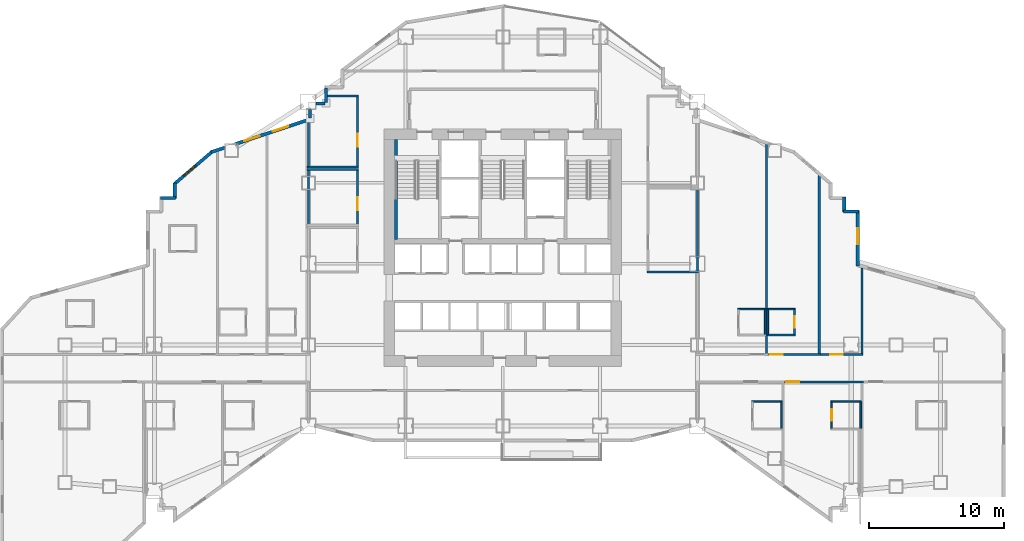
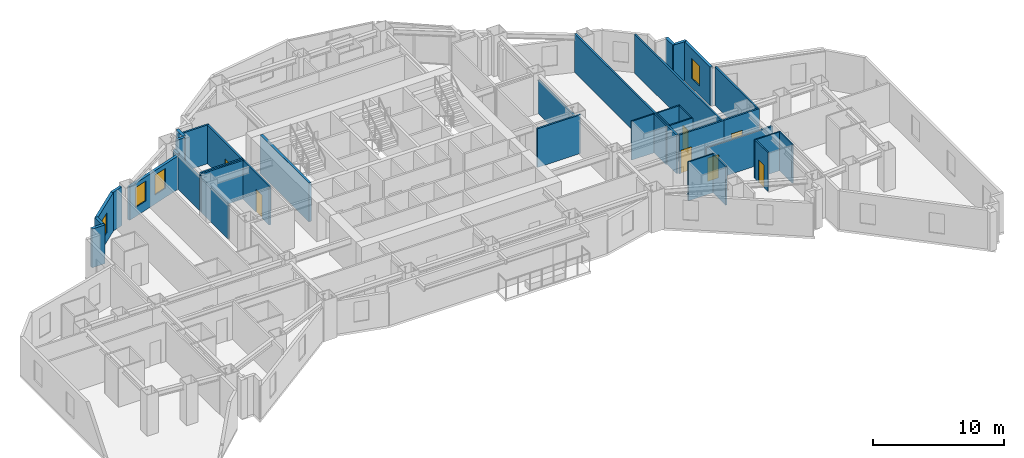
# One storey, part 10 of 15: 38 walls, 7 doors, 4 windows, 11 openings.
"""IFC4 building model written with IfcOpenShell, lengths in metres."""

from ifc_helpers import new_model, si_unit, direction, frame, frame_2d, origin, place, context, subcontext, project, spatial, rectangle, extrude, material, layer, layer_set, type_object, element, fill, save


model = new_model("IFC4")

# Units and contexts
model_context = context("Model", 3, precision=1e-05, world=origin(), true_north=direction((0.0, 1.0)))
body_context = subcontext(model_context, "Body", "Model", "MODEL_VIEW")
ifc_project = project(units=[si_unit("LENGTHUNIT", "METRE"), si_unit("AREAUNIT", "SQUARE_METRE"), si_unit("VOLUMEUNIT", "CUBIC_METRE"), si_unit("PLANEANGLEUNIT", "RADIAN"), si_unit("MASSUNIT", "GRAM", prefix="KILO")], contexts=[model_context])

# Site, building, storey
site_placement = place(None, origin())
site = spatial("IfcSite", under=ifc_project, at=site_placement, CompositionType="ELEMENT")
building_placement = place(site_placement, origin())
building = spatial("IfcBuilding", under=site, at=building_placement, Name="Haolan Belvedere Tower", CompositionType="ELEMENT")
storey_placement = place(building_placement, frame((0.0, 0.0, 70.39990234375)))
storey = spatial("IfcBuildingStorey", under=building, at=storey_placement, Name="L17", CompositionType="ELEMENT", Elevation=70.39990234375)

# Wall, opening, window
ifc_material_1 = material(Name="Precast concrete C40/50", Category="concrete")
ifc_layer_1 = layer(ifc_material_1, 0.239990234375, Name="Precast concrete C40/50")
ifc_layer_set_1 = layer_set([ifc_layer_1], Name="Precast concrete C40/50")
wall_type_1 = type_object("IfcWallType", Name="WL-EXT-240", PredefinedType="SOLIDWALL", material=ifc_layer_set_1)
wall_1_placement = place(storey_placement, frame((64.679931640625, 33.453857421875, 0.0), z_axis=(0.0, 0.0, 1.0), x_axis=(0.0, 1.0, 0.0)))
wall_1 = element("IfcWall", 1, at=wall_1_placement, inside=storey, type_object=wall_type_1, Name="L17 pale-metal exterior spandrel wall 29.1", PredefinedType="SOLIDWALL", context=body_context, shape_type="SweptSolid", body=[
    extrude(rectangle(XDim=4.0810546875, YDim=0.239990234375, at=frame_2d((2.04052734375, 0.0))), origin(), (0.0, 0.0, 1.0), 3.60009765625),
])
opening_1_placement = place(wall_1_placement, frame((1.60009765625, 0.0, 0.85009765625)))
opening_1 = element("IfcOpeningElement", 2, at=opening_1_placement, cuts=wall_1, Name="Opening W-01", PredefinedType="OPENING", context=body_context, shape_type="SweptSolid", body=[
    extrude(rectangle(XDim=1.199951171875, YDim=1.85009765625, at=frame_2d((0.60009765625, 0.925048828125))), frame((0.0, 0.1298828125, 0.0), z_axis=(0.0, -1.0, 0.0), x_axis=(1.0, 0.0, 0.0)), (0.0, 0.0, 1.0), 0.260009765625),
])
ifc_material_2 = material(Name="Anodised aluminium 6063-T6 and Low-E glass", Category="aluminium")
window_type = type_object("IfcWindowType", Name="WN-DECO-Z1", PartitioningType="SINGLE_PANEL", PredefinedType="WINDOW", material=ifc_material_2)
window_1_placement = place(opening_1_placement, origin())
window_1 = element("IfcWindow", 3, at=window_1_placement, inside=storey, type_object=window_type, Name="L17 Art Deco chevron window 1", OverallHeight=1.85009765625, OverallWidth=1.199951171875, PartitioningType="SINGLE_PANEL", PredefinedType="WINDOW", context=body_context, shape_type="SweptSolid", body=[
    extrude(rectangle(XDim=1.199951171875, YDim=1.85009765625, at=frame_2d((0.60009765625, 0.925048828125))), frame((0.0, 0.030029296875, 0.0), z_axis=(0.0, -1.0, 0.0), x_axis=(1.0, 0.0, 0.0)), (0.0, 0.0, 1.0), 0.06005859375),
])
fill(opening_1, window_1)

# Walls
wall_2_placement = place(storey_placement, frame((64.735107421875, 37.47998046875, 0.0), z_axis=(0.0, 0.0, 1.0), x_axis=(-1.0, 0.0, 0.0)))
element("IfcWall", 4, at=wall_2_placement, inside=storey, type_object=wall_type_1, Name="L17 pale-metal exterior spandrel wall 30.1", PredefinedType="SOLIDWALL", context=body_context, shape_type="SweptSolid", body=[
    extrude(rectangle(XDim=1.110107421875, YDim=0.239990234375, at=frame_2d((0.55517578125, 0.0))), origin(), (0.0, 0.0, 1.0), 3.60009765625),
])
wall_3_placement = place(storey_placement, frame((63.679931640625, 37.425048828125, 0.0), z_axis=(0.0, 0.0, 1.0), x_axis=(0.0, 1.0, 0.0)))
element("IfcWall", 5, at=wall_3_placement, inside=storey, type_object=wall_type_1, Name="L17 pale-metal exterior spandrel wall 31.1", PredefinedType="SOLIDWALL", context=body_context, shape_type="SweptSolid", body=[
    extrude(rectangle(XDim=1.10986328125, YDim=0.239990234375, at=frame_2d((0.554931640625, 0.0))), origin(), (0.0, 0.0, 1.0), 3.60009765625),
])
wall_4_placement = place(storey_placement, frame((25.320068359375, 46.614990234375, 0.0), z_axis=(0.0, 0.0, 1.0), x_axis=(0.0, -1.0, 0.0)))
element("IfcWall", 6, at=wall_4_placement, inside=storey, type_object=wall_type_1, Name="L17 pale-metal exterior spandrel wall 47.1", PredefinedType="SOLIDWALL", context=body_context, shape_type="SweptSolid", body=[
    extrude(rectangle(XDim=1.050048828125, YDim=0.239990234375, at=frame_2d((0.52490234375, 0.0))), origin(), (0.0, 0.0, 1.0), 3.60009765625),
])
wall_5_placement = place(storey_placement, frame((25.235107421875, 45.47998046875, 0.0), z_axis=(0.0, 0.0, 1.0), x_axis=(-1.0, 0.0, 0.0)))
element("IfcWall", 7, at=wall_5_placement, inside=storey, type_object=wall_type_1, Name="L17 pale-metal exterior spandrel wall 48.1", PredefinedType="SOLIDWALL", context=body_context, shape_type="SweptSolid", body=[
    extrude(rectangle(XDim=0.668212890625, YDim=0.239990234375, at=frame_2d((0.333984375, 0.0))), origin(), (0.0, 0.0, 1.0), 3.60009765625),
])
wall_6_placement = place(storey_placement, frame((24.1201171875, 45.032958984375, 0.0), z_axis=(0.0, 0.0, 1.0), x_axis=(0.0, -1.0, 0.0)))
element("IfcWall", 8, at=wall_6_placement, inside=storey, type_object=wall_type_1, Name="L17 pale-metal exterior spandrel wall 49.1", PredefinedType="SOLIDWALL", context=body_context, shape_type="SweptSolid", body=[
    extrude(rectangle(XDim=0.634521484375, YDim=0.239990234375, at=frame_2d((0.3173828125, 0.0))), origin(), (0.0, 0.0, 1.0), 3.09716796875),
])

# Wall, openings, windows
wall_7_placement = place(storey_placement, frame((24.039306640625, 44.28662109375, 0.0), z_axis=(0.0, 0.0, 1.0), x_axis=(-0.948678995954, -0.316240672014, 0.0)))
wall_7 = element("IfcWall", 9, at=wall_7_placement, inside=storey, type_object=wall_type_1, Name="L17 pale-metal exterior spandrel wall 50.1", PredefinedType="SOLIDWALL", context=body_context, shape_type="SweptSolid", body=[
    extrude(rectangle(XDim=5.675048828125, YDim=0.239990234375, at=frame_2d((2.83740234375, 0.0))), origin(), (0.0, 0.0, 1.0), 3.09716796875),
])
opening_2_placement = place(wall_7_placement, frame((1.60009765625, 0.0, 0.85009765625)))
opening_2 = element("IfcOpeningElement", 10, at=opening_2_placement, cuts=wall_7, Name="Opening W-01", PredefinedType="OPENING", context=body_context, shape_type="SweptSolid", body=[
    extrude(rectangle(XDim=1.199951171875, YDim=1.85009765625, at=frame_2d((0.60009765625, 0.925048828125))), frame((0.0, 0.1298828125, 0.0), z_axis=(0.0, -1.0, 0.0), x_axis=(1.0, 0.0, 0.0)), (0.0, 0.0, 1.0), 0.260009765625),
])
opening_3_placement = place(wall_7_placement, frame((3.833984375, 0.0, 0.85009765625)))
opening_3 = element("IfcOpeningElement", 11, at=opening_3_placement, cuts=wall_7, Name="Opening W-01", PredefinedType="OPENING", context=body_context, shape_type="SweptSolid", body=[
    extrude(rectangle(XDim=1.199951171875, YDim=1.85009765625, at=frame_2d((0.60009765625, 0.925048828125))), frame((0.0, 0.1298828125, 0.0), z_axis=(0.0, -1.0, 0.0), x_axis=(1.0, 0.0, 0.0)), (0.0, 0.0, 1.0), 0.260009765625),
])
window_2_placement = place(opening_2_placement, origin())
window_2 = element("IfcWindow", 12, at=window_2_placement, inside=storey, type_object=window_type, Name="L17 Art Deco chevron window 1", OverallHeight=1.85009765625, OverallWidth=1.199951171875, PartitioningType="SINGLE_PANEL", PredefinedType="WINDOW", context=body_context, shape_type="SweptSolid", body=[
    extrude(rectangle(XDim=1.199951171875, YDim=1.85009765625, at=frame_2d((0.60009765625, 0.925048828125))), frame((0.0, 0.030029296875, 0.0), z_axis=(0.0, -1.0, 0.0), x_axis=(1.0, 0.0, 0.0)), (0.0, 0.0, 1.0), 0.06005859375),
])
fill(opening_2, window_2)
window_3_placement = place(opening_3_placement, origin())
window_3 = element("IfcWindow", 13, at=window_3_placement, inside=storey, type_object=window_type, Name="L17 Art Deco guestroom window 1", OverallHeight=1.85009765625, OverallWidth=1.199951171875, PartitioningType="SINGLE_PANEL", PredefinedType="WINDOW", context=body_context, shape_type="SweptSolid", body=[
    extrude(rectangle(XDim=1.199951171875, YDim=1.85009765625, at=frame_2d((0.60009765625, 0.925048828125))), frame((0.0, 0.030029296875, 0.0), z_axis=(0.0, -1.0, 0.0), x_axis=(1.0, 0.0, 0.0)), (0.0, 0.0, 1.0), 0.06005859375),
])
fill(opening_3, window_3)

# Wall
wall_8_placement = place(storey_placement, frame((17.80810546875, 42.20947265625, 0.0), z_axis=(0.0, 0.0, 1.0), x_axis=(-0.948706457285, -0.316158279832, 0.0)))
element("IfcWall", 14, at=wall_8_placement, inside=storey, type_object=wall_type_1, Name="L17 pale-metal exterior spandrel wall 50.2", PredefinedType="SOLIDWALL", context=body_context, shape_type="SweptSolid", body=[
    extrude(rectangle(XDim=1.053955078125, YDim=0.239990234375, at=frame_2d((0.52685546875, 0.0))), origin(), (0.0, 0.0, 1.0), 3.60009765625),
])

# Wall, opening, window
wall_9_placement = place(storey_placement, frame((16.902099609375, 41.929443359375, 0.0), z_axis=(0.0, 0.0, 1.0), x_axis=(-0.759275136126, -0.650769750112, 0.0)))
wall_9 = element("IfcWall", 15, at=wall_9_placement, inside=storey, type_object=wall_type_1, Name="L17 pale-metal exterior spandrel wall 51.1", PredefinedType="SOLIDWALL", context=body_context, shape_type="SweptSolid", body=[
    extrude(rectangle(XDim=3.71923828125, YDim=0.239990234375, at=frame_2d((1.859619140625, 0.0))), origin(), (0.0, 0.0, 1.0), 3.60009765625),
])
opening_4_placement = place(wall_9_placement, frame((1.60009765625, 0.0, 0.85009765625)))
opening_4 = element("IfcOpeningElement", 16, at=opening_4_placement, cuts=wall_9, Name="Opening W-01", PredefinedType="OPENING", context=body_context, shape_type="SweptSolid", body=[
    extrude(rectangle(XDim=1.199951171875, YDim=1.85009765625, at=frame_2d((0.60009765625, 0.925048828125))), frame((0.0, 0.1298828125, 0.0), z_axis=(0.0, -1.0, 0.0), x_axis=(1.0, 0.0, 0.0)), (0.0, 0.0, 1.0), 0.260009765625),
])
window_4_placement = place(opening_4_placement, origin())
window_4 = element("IfcWindow", 17, at=window_4_placement, inside=storey, type_object=window_type, Name="L17 Art Deco chevron window 1", OverallHeight=1.85009765625, OverallWidth=1.199951171875, PartitioningType="SINGLE_PANEL", PredefinedType="WINDOW", context=body_context, shape_type="SweptSolid", body=[
    extrude(rectangle(XDim=1.199951171875, YDim=1.85009765625, at=frame_2d((0.60009765625, 0.925048828125))), frame((0.0, 0.030029296875, 0.0), z_axis=(0.0, -1.0, 0.0), x_axis=(1.0, 0.0, 0.0)), (0.0, 0.0, 1.0), 0.06005859375),
])
fill(opening_4, window_4)

# Walls
wall_10_placement = place(storey_placement, frame((14.1201171875, 39.599853515625, 0.0), z_axis=(0.0, 0.0, 1.0), x_axis=(0.0, -1.0, 0.0)))
element("IfcWall", 18, at=wall_10_placement, inside=storey, type_object=wall_type_1, Name="L17 pale-metal exterior spandrel wall 52.1", PredefinedType="SOLIDWALL", context=body_context, shape_type="SweptSolid", body=[
    extrude(rectangle(XDim=1.1748046875, YDim=0.239990234375, at=frame_2d((0.58740234375, 0.0))), origin(), (0.0, 0.0, 1.0), 3.60009765625),
])
wall_11_placement = place(storey_placement, frame((14.175048828125, 38.47998046875, 0.0), z_axis=(0.0, 0.0, 1.0), x_axis=(-1.0, 0.0, 0.0)))
element("IfcWall", 19, at=wall_11_placement, inside=storey, type_object=wall_type_1, Name="L17 pale-metal exterior spandrel wall 53.1", PredefinedType="SOLIDWALL", context=body_context, shape_type="SweptSolid", body=[
    extrude(rectangle(XDim=1.110107421875, YDim=0.239990234375, at=frame_2d((0.55517578125, 0.0))), origin(), (0.0, 0.0, 1.0), 3.60009765625),
])
ifc_material_3 = material(Name="Double gypsum acoustic stud partition", Category="masonry")
ifc_layer_2 = layer(ifc_material_3, 0.14990234375, Name="Double gypsum acoustic stud partition")
ifc_layer_set_2 = layer_set([ifc_layer_2], Name="Double gypsum acoustic stud partition")
wall_type_2 = type_object("IfcWallType", Name="WL-PART-150", PredefinedType="PARTITIONING", material=ifc_layer_set_2)
wall_12_placement = place(storey_placement, frame((23.919921875, 40.60009765625, 0.0), z_axis=(0.0, 0.0, 1.0), x_axis=(1.0, 0.0, 0.0)))
element("IfcWall", 20, at=wall_12_placement, inside=storey, type_object=wall_type_2, Name="L17 interior partition IW-L17-PNT-N", PredefinedType="PARTITIONING", context=body_context, shape_type="SweptSolid", body=[
    extrude(rectangle(XDim=3.800048828125, YDim=0.14990234375, at=frame_2d((1.89990234375, 0.0))), origin(), (0.0, 0.0, 1.0), 3.60009765625),
])
wall_13_placement = place(storey_placement, frame((24.0, 36.52001953125, 0.0), z_axis=(0.0, 0.0, 1.0), x_axis=(0.0, 1.0, 0.0)))
element("IfcWall", 21, at=wall_13_placement, inside=storey, type_object=wall_type_2, Name="L17 interior partition IW-L17-PNT-W", PredefinedType="PARTITIONING", context=body_context, shape_type="SweptSolid", body=[
    extrude(rectangle(XDim=4.02001953125, YDim=0.14990234375, at=frame_2d((2.010009765625, 0.0))), origin(), (0.0, 0.0, 1.0), 3.09716796875),
])

# Wall, opening, door
wall_14_placement = place(storey_placement, frame((27.639892578125, 36.52001953125, 0.0), z_axis=(0.0, 0.0, 1.0), x_axis=(0.0, 1.0, 0.0)))
wall_14 = element("IfcWall", 22, at=wall_14_placement, inside=storey, type_object=wall_type_2, Name="L17 interior partition IW-L17-PNT-E", PredefinedType="PARTITIONING", context=body_context, shape_type="SweptSolid", body=[
    extrude(rectangle(XDim=4.02001953125, YDim=0.14990234375, at=frame_2d((2.010009765625, 0.0))), origin(), (0.0, 0.0, 1.0), 3.60009765625),
])
opening_5_placement = place(wall_14_placement, frame((2.010009765625, 0.0, 0.0), z_axis=(0.0, 0.0, 1.0), x_axis=(-1.0, 0.0, 0.0)))
opening_5 = element("IfcOpeningElement", 23, at=opening_5_placement, cuts=wall_14, Name="Opening ID-03", PredefinedType="OPENING", context=body_context, shape_type="SweptSolid", body=[
    extrude(rectangle(XDim=0.949951171875, YDim=2.1201171875, at=frame_2d((0.47509765625, 1.06005859375))), frame((0.0, 0.0849609375, 0.0), z_axis=(0.0, -1.0, 0.0), x_axis=(1.0, 0.0, 0.0)), (0.0, 0.0, 1.0), 0.169921875),
])
ifc_material_4 = material(Name="Painted solid-core timber", Category="wood")
door_type_1 = type_object("IfcDoorType", Name="DR-INT-950", OperationType="NOTDEFINED", PredefinedType="DOOR", material=ifc_material_4)
door_1_placement = place(opening_5_placement, origin())
door_1 = element("IfcDoor", 24, at=door_1_placement, inside=storey, type_object=door_type_1, Name="L17 door ID-L17-PNT", OperationType="SINGLE_SWING_RIGHT", OverallHeight=2.1201171875, OverallWidth=0.949951171875, PredefinedType="DOOR", context=body_context, shape_type="SweptSolid", body=[
    extrude(rectangle(XDim=0.949951171875, YDim=2.1201171875, at=frame_2d((0.47509765625, 1.06005859375))), frame((0.0, 0.02490234375, 0.0), z_axis=(0.0, -1.0, 0.0), x_axis=(1.0, 0.0, 0.0)), (0.0, 0.0, 1.0), 0.050048828125),
])
fill(opening_5, door_1)

# Walls
wall_15_placement = place(storey_placement, frame((25.425048828125, 46.02001953125, 0.0), z_axis=(0.0, 0.0, 1.0), x_axis=(1.0, 0.0, 0.0)))
element("IfcWall", 25, at=wall_15_placement, inside=storey, type_object=wall_type_2, Name="L17 interior partition IW-L17-STY-N", PredefinedType="PARTITIONING", context=body_context, shape_type="SweptSolid", body=[
    extrude(rectangle(XDim=2.294921875, YDim=0.14990234375, at=frame_2d((1.1474609375, 0.0))), origin(), (0.0, 0.0, 1.0), 3.60009765625),
])
wall_16_placement = place(storey_placement, frame((23.919921875, 40.760009765625, 0.0), z_axis=(0.0, 0.0, 1.0), x_axis=(1.0, 0.0, 0.0)))
element("IfcWall", 26, at=wall_16_placement, inside=storey, type_object=wall_type_2, Name="L17 interior partition IW-L17-STY-S", PredefinedType="PARTITIONING", context=body_context, shape_type="SweptSolid", body=[
    extrude(rectangle(XDim=3.800048828125, YDim=0.14990234375, at=frame_2d((1.89990234375, 0.0))), origin(), (0.0, 0.0, 1.0), 3.60009765625),
])
wall_17_placement = place(storey_placement, frame((24.0, 40.820068359375, 0.0), z_axis=(0.0, 0.0, 1.0), x_axis=(0.0, 1.0, 0.0)))
element("IfcWall", 27, at=wall_17_placement, inside=storey, type_object=wall_type_2, Name="L17 interior partition IW-L17-STY-W", PredefinedType="PARTITIONING", context=body_context, shape_type="SweptSolid", body=[
    extrude(rectangle(XDim=3.3427734375, YDim=0.14990234375, at=frame_2d((1.67138671875, 0.0))), origin(), (0.0, 0.0, 1.0), 3.09716796875),
])

# Wall, opening, door
wall_18_placement = place(storey_placement, frame((27.639892578125, 40.820068359375, 0.0), z_axis=(0.0, 0.0, 1.0), x_axis=(0.0, 1.0, 0.0)))
wall_18 = element("IfcWall", 28, at=wall_18_placement, inside=storey, type_object=wall_type_2, Name="L17 interior partition IW-L17-STY-E", PredefinedType="PARTITIONING", context=body_context, shape_type="SweptSolid", body=[
    extrude(rectangle(XDim=5.139892578125, YDim=0.14990234375, at=frame_2d((2.56982421875, 0.0))), origin(), (0.0, 0.0, 1.0), 3.60009765625),
])
opening_6_placement = place(wall_18_placement, frame((2.409912109375, 0.0, 0.0), z_axis=(0.0, 0.0, 1.0), x_axis=(-1.0, 0.0, 0.0)))
opening_6 = element("IfcOpeningElement", 29, at=opening_6_placement, cuts=wall_18, Name="Opening ID-03", PredefinedType="OPENING", context=body_context, shape_type="SweptSolid", body=[
    extrude(rectangle(XDim=0.949951171875, YDim=2.1201171875, at=frame_2d((0.47509765625, 1.06005859375))), frame((0.0, 0.0849609375, 0.0), z_axis=(0.0, -1.0, 0.0), x_axis=(1.0, 0.0, 0.0)), (0.0, 0.0, 1.0), 0.169921875),
])
door_2_placement = place(opening_6_placement, origin())
door_2 = element("IfcDoor", 30, at=door_2_placement, inside=storey, type_object=door_type_1, Name="L17 door ID-L17-STY", OperationType="SINGLE_SWING_LEFT", OverallHeight=2.1201171875, OverallWidth=0.949951171875, PredefinedType="DOOR", context=body_context, shape_type="SweptSolid", body=[
    extrude(rectangle(XDim=0.949951171875, YDim=2.1201171875, at=frame_2d((0.47509765625, 1.06005859375))), frame((0.0, 0.02490234375, 0.0), z_axis=(0.0, -1.0, 0.0), x_axis=(1.0, 0.0, 0.0)), (0.0, 0.0, 1.0), 0.050048828125),
])
fill(opening_6, door_2)

# Walls
wall_19_placement = place(storey_placement, frame((49.080078125, 33.0, 0.0), z_axis=(0.0, 0.0, 1.0), x_axis=(1.0, 0.0, 0.0)))
element("IfcWall", 31, at=wall_19_placement, inside=storey, type_object=wall_type_2, Name="L17 interior partition IW-L17-HSK-S", PredefinedType="PARTITIONING", context=body_context, shape_type="SweptSolid", body=[
    extrude(rectangle(XDim=3.7998046875, YDim=0.14990234375, at=frame_2d((1.89990234375, 0.0))), origin(), (0.0, 0.0, 1.0), 3.60009765625),
])
wall_20_placement = place(storey_placement, frame((52.800048828125, 33.06005859375, 0.0), z_axis=(0.0, 0.0, 1.0), x_axis=(0.0, 1.0, 0.0)))
element("IfcWall", 32, at=wall_20_placement, inside=storey, type_object=wall_type_2, Name="L17 interior partition IW-L17-HSK-E", PredefinedType="PARTITIONING", context=body_context, shape_type="SweptSolid", body=[
    extrude(rectangle(XDim=6.079833984375, YDim=0.14990234375, at=frame_2d((3.0400390625, 0.0))), origin(), (0.0, 0.0, 1.0), 3.09716796875),
])
wall_21_placement = place(storey_placement, frame((57.919921875, 26.93994140625, 0.0), z_axis=(0.0, 0.0, 1.0), x_axis=(0.0, 1.0, 0.0)))
element("IfcWall", 33, at=wall_21_placement, inside=storey, type_object=wall_type_2, Name="L17 interior partition IW-L17-T4N1-E", PredefinedType="PARTITIONING", context=body_context, shape_type="SweptSolid", body=[
    extrude(rectangle(XDim=15.516357421875, YDim=0.14990234375, at=frame_2d((7.75830078125, 0.0))), origin(), (0.0, 0.0, 1.0), 3.60009765625),
])

# Wall, opening, door
wall_22_placement = place(storey_placement, frame((58.02197265625, 26.8798828125, 0.0), z_axis=(0.0, 0.0, 1.0), x_axis=(1.0, 0.0, 0.0)))
wall_22 = element("IfcWall", 34, at=wall_22_placement, inside=storey, type_object=wall_type_2, Name="L17 interior partition IW-L17-T4N2-S", PredefinedType="PARTITIONING", context=body_context, shape_type="SweptSolid", body=[
    extrude(rectangle(XDim=3.907958984375, YDim=0.14990234375, at=frame_2d((1.9541015625, 0.0))), origin(), (0.0, 0.0, 1.0), 3.60009765625),
])
opening_7_placement = place(wall_22_placement, frame((0.139892578125, 0.0, 0.0)))
opening_7 = element("IfcOpeningElement", 35, at=opening_7_placement, cuts=wall_22, Name="Opening ID-02", PredefinedType="OPENING", context=body_context, shape_type="SweptSolid", body=[
    extrude(rectangle(XDim=0.949951171875, YDim=2.14990234375, at=frame_2d((0.47509765625, 1.074951171875))), frame((0.0, 0.0849609375, 0.0), z_axis=(0.0, -1.0, 0.0), x_axis=(1.0, 0.0, 0.0)), (0.0, 0.0, 1.0), 0.169921875),
])
ifc_material_5 = material(Name="Acoustic oak veneer fire-rated timber", Category="wood")
door_type_2 = type_object("IfcDoorType", Name="DR-GUEST-950", OperationType="NOTDEFINED", PredefinedType="DOOR", material=ifc_material_5)
door_3_placement = place(opening_7_placement, origin())
door_3 = element("IfcDoor", 36, at=door_3_placement, inside=storey, type_object=door_type_2, Name="L17 door ID-L17-T4N2-ENT", OperationType="SINGLE_SWING_LEFT", OverallHeight=2.14990234375, OverallWidth=0.949951171875, PredefinedType="DOOR", context=body_context, shape_type="SweptSolid", body=[
    extrude(rectangle(XDim=0.949951171875, YDim=2.14990234375, at=frame_2d((0.47509765625, 1.074951171875))), frame((0.0, 0.02490234375, 0.0), z_axis=(0.0, -1.0, 0.0), x_axis=(1.0, 0.0, 0.0)), (0.0, 0.0, 1.0), 0.050048828125),
])
fill(opening_7, door_3)

# Wall
wall_23_placement = place(storey_placement, frame((61.830078125, 26.93994140625, 0.0), z_axis=(0.0, 0.0, 1.0), x_axis=(0.0, 1.0, 0.0)))
element("IfcWall", 37, at=wall_23_placement, inside=storey, type_object=wall_type_2, Name="L17 interior partition IW-L17-T4N2-E", PredefinedType="PARTITIONING", context=body_context, shape_type="SweptSolid", body=[
    extrude(rectangle(XDim=13.195068359375, YDim=0.14990234375, at=frame_2d((6.59765625, 0.0))), origin(), (0.0, 0.0, 1.0), 3.60009765625),
])

# Wall, opening, door
wall_24_placement = place(storey_placement, frame((61.931884765625, 26.8798828125, 0.0), z_axis=(0.0, 0.0, 1.0), x_axis=(1.0, 0.0, 0.0)))
wall_24 = element("IfcWall", 38, at=wall_24_placement, inside=storey, type_object=wall_type_2, Name="L17 interior partition IW-L17-T4N3-S", PredefinedType="PARTITIONING", context=body_context, shape_type="SweptSolid", body=[
    extrude(rectangle(XDim=3.148193359375, YDim=0.14990234375, at=frame_2d((1.57421875, 0.0))), origin(), (0.0, 0.0, 1.0), 3.60009765625),
])
opening_8_placement = place(wall_24_placement, frame((0.696533203125, 0.0, 0.0)))
opening_8 = element("IfcOpeningElement", 39, at=opening_8_placement, cuts=wall_24, Name="Opening ID-03", PredefinedType="OPENING", context=body_context, shape_type="SweptSolid", body=[
    extrude(rectangle(XDim=0.949951171875, YDim=2.1201171875, at=frame_2d((0.47509765625, 1.06005859375))), frame((0.0, 0.0849609375, 0.0), z_axis=(0.0, -1.0, 0.0), x_axis=(1.0, 0.0, 0.0)), (0.0, 0.0, 1.0), 0.169921875),
])
door_4_placement = place(opening_8_placement, origin())
door_4 = element("IfcDoor", 40, at=door_4_placement, inside=storey, type_object=door_type_1, Name="L17 door ID-L17-T4N3", OperationType="SINGLE_SWING_RIGHT", OverallHeight=2.1201171875, OverallWidth=0.949951171875, PredefinedType="DOOR", context=body_context, shape_type="SweptSolid", body=[
    extrude(rectangle(XDim=0.949951171875, YDim=2.1201171875, at=frame_2d((0.47509765625, 1.06005859375))), frame((0.0, 0.02490234375, 0.0), z_axis=(0.0, -1.0, 0.0), x_axis=(1.0, 0.0, 0.0)), (0.0, 0.0, 1.0), 0.050048828125),
])
fill(opening_8, door_4)

# Wall
wall_25_placement = place(storey_placement, frame((65.0, 26.93994140625, 0.0), z_axis=(0.0, 0.0, 1.0), x_axis=(0.0, 1.0, 0.0)))
element("IfcWall", 41, at=wall_25_placement, inside=storey, type_object=wall_type_2, Name="L17 interior partition IW-L17-T4N3-E", PredefinedType="PARTITIONING", context=body_context, shape_type="SweptSolid", body=[
    extrude(rectangle(XDim=6.37060546875, YDim=0.14990234375, at=frame_2d((3.185302734375, 0.0))), origin(), (0.0, 0.0, 1.0), 3.60009765625),
])

# Wall, opening, door
wall_26_placement = place(storey_placement, frame((59.241943359375, 24.8701171875, 0.0), z_axis=(0.0, 0.0, 1.0), x_axis=(1.0, 0.0, 0.0)))
wall_26 = element("IfcWall", 42, at=wall_26_placement, inside=storey, type_object=wall_type_2, Name="L17 interior partition IW-L17-T4S2-N", PredefinedType="PARTITIONING", context=body_context, shape_type="SweptSolid", body=[
    extrude(rectangle(XDim=5.858154296875, YDim=0.14990234375, at=frame_2d((2.92919921875, 0.0))), origin(), (0.0, 0.0, 1.0), 3.18505859375),
])
opening_9_placement = place(wall_26_placement, frame((1.08984375, 0.0, 0.0), z_axis=(0.0, 0.0, 1.0), x_axis=(-1.0, 0.0, 0.0)))
opening_9 = element("IfcOpeningElement", 43, at=opening_9_placement, cuts=wall_26, Name="Opening ID-01", PredefinedType="OPENING", context=body_context, shape_type="SweptSolid", body=[
    extrude(rectangle(XDim=0.949951171875, YDim=2.179931640625, at=frame_2d((0.47509765625, 1.08984375))), frame((0.0, 0.0849609375, 0.0), z_axis=(0.0, -1.0, 0.0), x_axis=(1.0, 0.0, 0.0)), (0.0, 0.0, 1.0), 0.169921875),
])
ifc_material_6 = material(Name="Acoustic walnut veneer fire-rated timber", Category="wood")
door_type_3 = type_object("IfcDoorType", Name="DR-SUITE-950", OperationType="NOTDEFINED", PredefinedType="DOOR", material=ifc_material_6)
door_5_placement = place(opening_9_placement, origin())
door_5 = element("IfcDoor", 44, at=door_5_placement, inside=storey, type_object=door_type_3, Name="L17 door ID-L17-T4S2-ENT", OperationType="SINGLE_SWING_RIGHT", OverallHeight=2.179931640625, OverallWidth=0.949951171875, PredefinedType="DOOR", context=body_context, shape_type="SweptSolid", body=[
    extrude(rectangle(XDim=0.949951171875, YDim=2.179931640625, at=frame_2d((0.47509765625, 1.08984375))), frame((0.0, 0.02490234375, 0.0), z_axis=(0.0, -1.0, 0.0), x_axis=(1.0, 0.0, 0.0)), (0.0, 0.0, 1.0), 0.050048828125),
])
fill(opening_9, door_5)

# Walls
ifc_material_7 = material(Name="Concrete C50/60", Category="concrete")
ifc_layer_3 = layer(ifc_material_7, 0.219970703125, Name="Concrete C50/60")
ifc_layer_set_3 = layer_set([ifc_layer_3], Name="Concrete C50/60")
wall_type_3 = type_object("IfcWallType", Name="WL-STAIR-220", PredefinedType="SHEAR", material=ifc_layer_set_3)
wall_27_placement = place(storey_placement, frame((30.511962890625, 35.389892578125, 0.0), z_axis=(0.0, 0.0, 1.0), x_axis=(0.0, 1.0, 0.0)))
element("IfcWall", 45, at=wall_27_placement, inside=storey, type_object=wall_type_3, Name="L17 structural stair core wall ST1W", PredefinedType="SHEAR", context=body_context, shape_type="SweptSolid", body=[
    extrude(rectangle(XDim=7.41015625, YDim=0.219970703125, at=frame_2d((3.705078125, 0.0))), origin(), (0.0, 0.0, 1.0), 3.60009765625),
])
ifc_material_8 = material(Name="Moisture-resistant gypsum tile partition", Category="masonry")
ifc_layer_4 = layer(ifc_material_8, 0.1201171875, Name="Moisture-resistant gypsum tile partition")
ifc_layer_set_4 = layer_set([ifc_layer_4], Name="Moisture-resistant gypsum tile partition")
wall_type_4 = type_object("IfcWallType", Name="WL-WET-120", PredefinedType="PARTITIONING", material=ifc_layer_set_4)
wall_28_placement = place(storey_placement, frame((55.780029296875, 30.25, 0.0), z_axis=(0.0, 0.0, 1.0), x_axis=(1.0, 0.0, 0.0)))
element("IfcWall", 46, at=wall_28_placement, inside=storey, type_object=wall_type_4, Name="L17 interior partition IW-L17-T4N1-BN", PredefinedType="PARTITIONING", context=body_context, shape_type="SweptSolid", body=[
    extrude(rectangle(XDim=2.080078125, YDim=0.1201171875, at=frame_2d((1.0400390625, 0.0))), origin(), (0.0, 0.0, 1.0), 3.60009765625),
])
wall_29_placement = place(storey_placement, frame((57.820068359375, 28.375, 0.0), z_axis=(0.0, 0.0, 1.0), x_axis=(0.0, 1.0, 0.0)))
element("IfcWall", 47, at=wall_29_placement, inside=storey, type_object=wall_type_4, Name="L17 interior partition IW-L17-T4N1-BE", PredefinedType="PARTITIONING", context=body_context, shape_type="SweptSolid", body=[
    extrude(rectangle(XDim=1.830078125, YDim=0.1201171875, at=frame_2d((0.9150390625, 0.0))), origin(), (0.0, 0.0, 1.0), 3.60009765625),
])
for number, where, z_axis, x_axis, name in (
    (48, (57.97998046875, 30.25, 0.0), (0.0, 0.0, 1.0), (1.0, 0.0, 0.0), "L17 interior partition IW-L17-T4N2-BN"),
    (49, (57.97998046875, 28.330078125, 0.0), (0.0, 0.0, 1.0), (1.0, 0.0, 0.0), "L17 interior partition IW-L17-T4N2-BS"),
):
    element("IfcWall", number, at=place(storey_placement, frame(where, z_axis=z_axis, x_axis=x_axis)), inside=storey, type_object=wall_type_4, Name=name, PredefinedType="PARTITIONING", context=body_context, shape_type="SweptSolid", body=[
        extrude(rectangle(XDim=2.080078125, YDim=0.1201171875, at=frame_2d((1.0400390625, 0.0))), origin(), (0.0, 0.0, 1.0), 3.60009765625),
    ])
wall_30_placement = place(storey_placement, frame((58.02001953125, 28.375, 0.0), z_axis=(0.0, 0.0, 1.0), x_axis=(0.0, 1.0, 0.0)))
element("IfcWall", 50, at=wall_30_placement, inside=storey, type_object=wall_type_4, Name="L17 interior partition IW-L17-T4N2-BW", PredefinedType="PARTITIONING", context=body_context, shape_type="SweptSolid", body=[
    extrude(rectangle(XDim=1.830078125, YDim=0.1201171875, at=frame_2d((0.9150390625, 0.0))), origin(), (0.0, 0.0, 1.0), 3.60009765625),
])

# Wall, opening, door
wall_31_placement = place(storey_placement, frame((60.0, 28.375, 0.0), z_axis=(0.0, 0.0, 1.0), x_axis=(0.0, 1.0, 0.0)))
wall_31 = element("IfcWall", 51, at=wall_31_placement, inside=storey, type_object=wall_type_4, Name="L17 interior partition IW-L17-T4N2-BE", PredefinedType="PARTITIONING", context=body_context, shape_type="SweptSolid", body=[
    extrude(rectangle(XDim=1.830078125, YDim=0.1201171875, at=frame_2d((0.9150390625, 0.0))), origin(), (0.0, 0.0, 1.0), 3.60009765625),
])
opening_10_placement = place(wall_31_placement, frame((0.489990234375, 0.0, 0.0)))
opening_10 = element("IfcOpeningElement", 52, at=opening_10_placement, cuts=wall_31, Name="Opening ID-05", PredefinedType="OPENING", context=body_context, shape_type="SweptSolid", body=[
    extrude(rectangle(XDim=0.85009765625, YDim=2.10009765625, at=frame_2d((0.425048828125, 1.050048828125))), frame((0.0, 0.070068359375, 0.0), z_axis=(0.0, -1.0, 0.0), x_axis=(1.0, 0.0, 0.0)), (0.0, 0.0, 1.0), 0.14013671875),
])
ifc_material_9 = material(Name="Moisture-resistant lacquered timber", Category="wood")
door_type_4 = type_object("IfcDoorType", Name="DR-BATH-850", OperationType="NOTDEFINED", PredefinedType="DOOR", material=ifc_material_9)
door_6_placement = place(opening_10_placement, origin())
door_6 = element("IfcDoor", 53, at=door_6_placement, inside=storey, type_object=door_type_4, Name="L17 door ID-L17-T4N2-BATH", OperationType="SINGLE_SWING_RIGHT", OverallHeight=2.10009765625, OverallWidth=0.85009765625, PredefinedType="DOOR", context=body_context, shape_type="SweptSolid", body=[
    extrude(rectangle(XDim=0.85009765625, YDim=2.10009765625, at=frame_2d((0.425048828125, 1.050048828125))), frame((0.0, 0.02490234375, 0.0), z_axis=(0.0, -1.0, 0.0), x_axis=(1.0, 0.0, 0.0)), (0.0, 0.0, 1.0), 0.050048828125),
])
fill(opening_10, door_6)

# Walls
wall_32_placement = place(storey_placement, frame((56.830078125, 23.419921875, 0.0), z_axis=(0.0, 0.0, 1.0), x_axis=(1.0, 0.0, 0.0)))
element("IfcWall", 54, at=wall_32_placement, inside=storey, type_object=wall_type_4, Name="L17 interior partition IW-L17-T4S1-BN", PredefinedType="PARTITIONING", context=body_context, shape_type="SweptSolid", body=[
    extrude(rectangle(XDim=2.25, YDim=0.1201171875, at=frame_2d((1.125, 0.0))), origin(), (0.0, 0.0, 1.0), 3.60009765625),
])
wall_33_placement = place(storey_placement, frame((59.0400390625, 21.4150390625, 0.0), z_axis=(0.0, 0.0, 1.0), x_axis=(0.0, 1.0, 0.0)))
element("IfcWall", 55, at=wall_33_placement, inside=storey, type_object=wall_type_4, Name="L17 interior partition IW-L17-T4S1-BE", PredefinedType="PARTITIONING", context=body_context, shape_type="SweptSolid", body=[
    extrude(rectangle(XDim=1.9599609375, YDim=0.1201171875, at=frame_2d((0.97998046875, 0.0))), origin(), (0.0, 0.0, 1.0), 3.60009765625),
])
wall_34_placement = place(storey_placement, frame((62.68994140625, 23.419921875, 0.0), z_axis=(0.0, 0.0, 1.0), x_axis=(1.0, 0.0, 0.0)))
element("IfcWall", 56, at=wall_34_placement, inside=storey, type_object=wall_type_4, Name="L17 interior partition IW-L17-T4S2-BN", PredefinedType="PARTITIONING", context=body_context, shape_type="SweptSolid", body=[
    extrude(rectangle(XDim=2.25, YDim=0.1201171875, at=frame_2d((1.125, 0.0))), origin(), (0.0, 0.0, 1.0), 3.60009765625),
])

# Wall, opening, door
wall_35_placement = place(storey_placement, frame((62.75, 21.4150390625, 0.0), z_axis=(0.0, 0.0, 1.0), x_axis=(0.0, 1.0, 0.0)))
wall_35 = element("IfcWall", 57, at=wall_35_placement, inside=storey, type_object=wall_type_4, Name="L17 interior partition IW-L17-T4S2-BW", PredefinedType="PARTITIONING", context=body_context, shape_type="SweptSolid", body=[
    extrude(rectangle(XDim=1.9599609375, YDim=0.1201171875, at=frame_2d((0.97998046875, 0.0))), origin(), (0.0, 0.0, 1.0), 3.60009765625),
])
opening_11_placement = place(wall_35_placement, frame((1.405029296875, 0.0, 0.0), z_axis=(0.0, 0.0, 1.0), x_axis=(-1.0, 0.0, 0.0)))
opening_11 = element("IfcOpeningElement", 58, at=opening_11_placement, cuts=wall_35, Name="Opening ID-05", PredefinedType="OPENING", context=body_context, shape_type="SweptSolid", body=[
    extrude(rectangle(XDim=0.85009765625, YDim=2.10009765625, at=frame_2d((0.425048828125, 1.050048828125))), frame((0.0, 0.070068359375, 0.0), z_axis=(0.0, -1.0, 0.0), x_axis=(1.0, 0.0, 0.0)), (0.0, 0.0, 1.0), 0.14013671875),
])
door_7_placement = place(opening_11_placement, origin())
door_7 = element("IfcDoor", 59, at=door_7_placement, inside=storey, type_object=door_type_4, Name="L17 door ID-L17-T4S2-BATH", OperationType="SINGLE_SWING_LEFT", OverallHeight=2.10009765625, OverallWidth=0.85009765625, PredefinedType="DOOR", context=body_context, shape_type="SweptSolid", body=[
    extrude(rectangle(XDim=0.85009765625, YDim=2.10009765625, at=frame_2d((0.425048828125, 1.050048828125))), frame((0.0, 0.02490234375, 0.0), z_axis=(0.0, -1.0, 0.0), x_axis=(1.0, 0.0, 0.0)), (0.0, 0.0, 1.0), 0.050048828125),
])
fill(opening_11, door_7)

# Wall
wall_36_placement = place(storey_placement, frame((64.89990234375, 21.4150390625, 0.0), z_axis=(0.0, 0.0, 1.0), x_axis=(0.0, 1.0, 0.0)))
element("IfcWall", 60, at=wall_36_placement, inside=storey, type_object=wall_type_4, Name="L17 interior partition IW-L17-T4S2-BE", PredefinedType="PARTITIONING", context=body_context, shape_type="SweptSolid", body=[
    extrude(rectangle(XDim=1.9599609375, YDim=0.1201171875, at=frame_2d((0.97998046875, 0.0))), origin(), (0.0, 0.0, 1.0), 3.60009765625),
])

save(model, "model.ifc")
